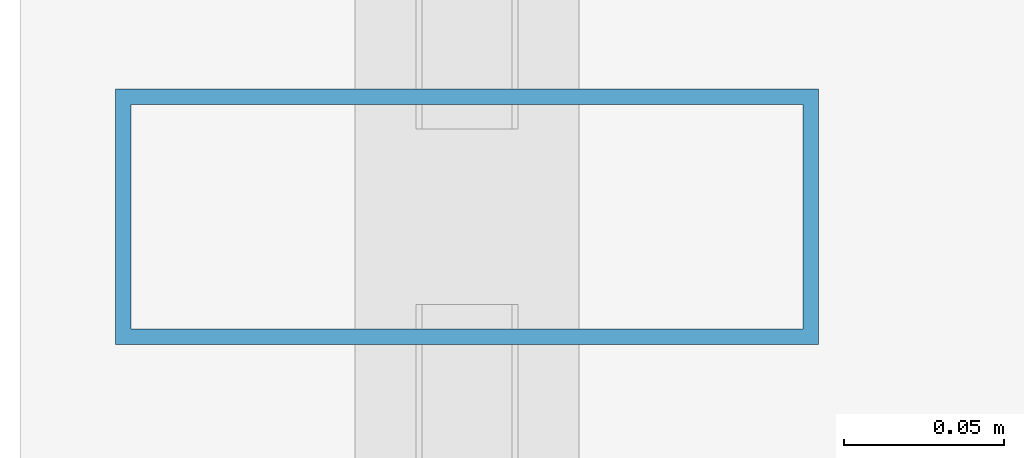
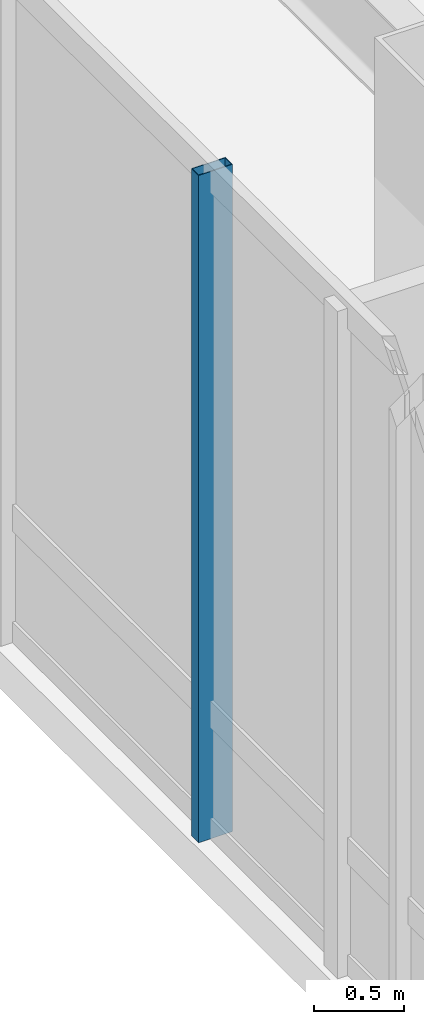
# One storey, part 11 of 27: 1 member, 1 element without a shape of its own.
"""IFC4 building model written with IfcOpenShell, lengths in metres."""

from ifc_helpers import new_model, si_unit, direction, frame, origin, origin_2d, place, context, subcontext, project, spatial, hollow_rectangle, extrude, material, layer, layer_set, material_profile, profile_set, type_object, element, aggregate, save


model = new_model("IFC4")

# Units and contexts
model_context = context("Model", 3, precision=1e-05, world=origin(), true_north=direction((0.0, 1.0)))
body_context = subcontext(model_context, "Body", "Model", "MODEL_VIEW")
ifc_project = project(units=[si_unit("LENGTHUNIT", "METRE"), si_unit("AREAUNIT", "SQUARE_METRE"), si_unit("VOLUMEUNIT", "CUBIC_METRE"), si_unit("PLANEANGLEUNIT", "RADIAN"), si_unit("MASSUNIT", "GRAM", prefix="KILO")], contexts=[model_context])

# Site, building, storey
site_placement = place(None, origin())
site = spatial("IfcSite", under=ifc_project, at=site_placement, CompositionType="ELEMENT")
building_placement = place(site_placement, origin())
building = spatial("IfcBuilding", under=site, at=building_placement, Name="Hatsunagi Terrace Concourse", CompositionType="ELEMENT")
storey_placement = place(building_placement, frame((0.0, 0.0, 96.449951171875)))
storey = spatial("IfcBuildingStorey", under=building, at=storey_placement, Name="L25", CompositionType="ELEMENT", Elevation=96.449951171875)

# Curtain wall, member
ifc_material_1 = material(Name="Anodised Aluminium Alloy 6063-T5", Category="aluminium")
ifc_layer = layer(ifc_material_1, 0.199951171875)
ifc_layer_set = layer_set([ifc_layer], Name="SkyLobbyAtrium_CW05")
curtain_wall_type = type_object("IfcCurtainWallType", Name="SkyLobbyAtrium_CW05", PredefinedType="NOTDEFINED", material=ifc_layer_set)
curtain_wall_placement = place(storey_placement, origin())
curtain_wall = element("IfcCurtainWall", 1, at=curtain_wall_placement, inside=storey, type_object=curtain_wall_type, Name="Unitised Curtain Wall CW-05 CW-L25-09", PredefinedType="NOTDEFINED")
ifc_material_2 = material(Name="Anodised Aluminium Alloy 6063-T5", Category="aluminium")
ifc_material_profile = material_profile(ifc_material_2, hollow_rectangle(XDim=0.080078125, YDim=0.219970703125, WallThickness=0.0048828125, at=origin_2d()), Name="ALU-MUL-220x80x5")
ifc_profile_set = profile_set([ifc_material_profile], Name="Anodised Aluminium Alloy 6063-T5")
member_type = type_object("IfcMemberType", Name="CurtainWallMullion_Heavy_220x80", PredefinedType="MULLION", material=ifc_profile_set)
member_placement = place(storey_placement, frame((9.739990234375, 36.89990234375, 0.0), z_axis=(0.0, 0.0, 1.0), x_axis=(0.0, 1.0, 0.0)))
member = element("IfcMember", 2, at=member_placement, type_object=member_type, Name="Curtain Wall Mullion MUL-01", PredefinedType="MULLION", context=body_context, shape_type="SweptSolid", body=[
    extrude(hollow_rectangle(XDim=0.080078125, YDim=0.219970703125, WallThickness=0.0048828125, at=origin_2d()), origin(), (0.0, 0.0, 1.0), 4.550048828125),
])
aggregate(curtain_wall, [member])

save(model, "model.ifc")
